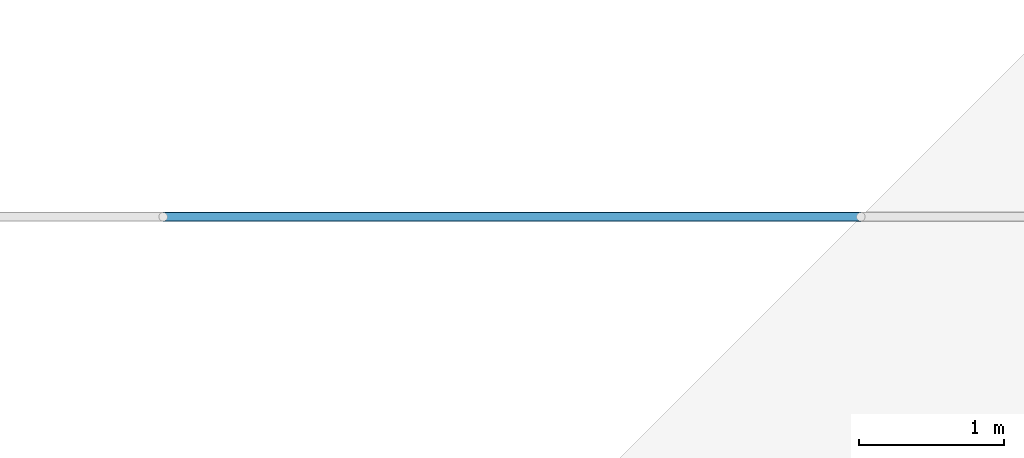
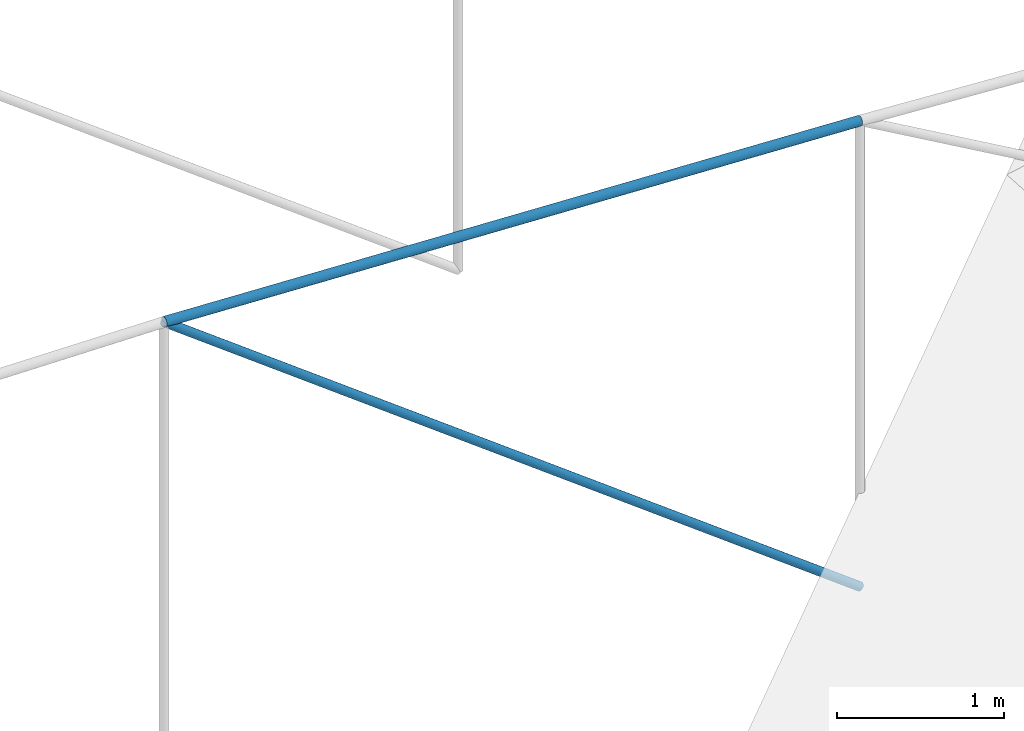
# One storey, part 25 of 50: 2 members.
"""IFC4 building model written with IfcOpenShell, lengths in metres."""

from ifc_helpers import new_model, si_unit, direction, frame, origin, origin_2d, place, context, subcontext, project, spatial, circle, extrude, material, material_profile, profile_set, type_object, element, save


model = new_model("IFC4")

# Units and contexts
model_context = context("Model", 3, precision=1e-05, world=origin(), true_north=direction((0.0, 1.0)))
body_context = subcontext(model_context, "Body", "Model", "MODEL_VIEW")
ifc_project = project(units=[si_unit("LENGTHUNIT", "METRE"), si_unit("AREAUNIT", "SQUARE_METRE"), si_unit("VOLUMEUNIT", "CUBIC_METRE"), si_unit("PLANEANGLEUNIT", "RADIAN"), si_unit("MASSUNIT", "GRAM", prefix="KILO")], contexts=[model_context])

# Site, building, storey
site_placement = place(None, origin())
site = spatial("IfcSite", under=ifc_project, at=site_placement, CompositionType="ELEMENT")
building_placement = place(site_placement, origin())
building = spatial("IfcBuilding", under=site, at=building_placement, Name="Zevrakil Square Congress Hotel", CompositionType="ELEMENT")
storey_placement = place(building_placement, frame((0.0, 0.0, 21.5)))
storey = spatial("IfcBuildingStorey", under=building, at=storey_placement, Name="L06", CompositionType="ELEMENT", Elevation=21.5)

# Members
ifc_material_1 = material(Name="Steel S355", Category="steel")
ifc_material_profile_1 = material_profile(ifc_material_1, circle(Radius=0.030029296875, at=origin_2d()), Name="CABLE RD60")
ifc_profile_set_1 = profile_set([ifc_material_profile_1], Name="Steel S355")
member_type_1 = type_object("IfcMemberType", Name="MEM-CABLE-RD60", PredefinedType="USERDEFINED", material=ifc_profile_set_1)
member_1_placement = place(storey_placement, frame((151.199951171875, 98.39990234375, -0.91796875), z_axis=(-0.799174909116, 0.0, 0.601098548192), x_axis=(0.0, -1.0, 0.0)))
element("IfcMember", 1, at=member_1_placement, inside=storey, type_object=member_type_1, Name="Congress cable-truss web diagonal CBD-07-7", ObjectType="ROOF CABLE", PredefinedType="USERDEFINED", context=body_context, shape_type="SweptSolid", body=[
    extrude(circle(Radius=0.030029296875, at=origin_2d()), origin(), (0.0, 0.0, 1.0), 6.00634765625),
])
ifc_material_2 = material(Name="Steel S355", Category="steel")
ifc_material_profile_2 = material_profile(ifc_material_2, circle(Radius=0.033935546875, at=origin_2d()), Name="CABLE RD68")
ifc_profile_set_2 = profile_set([ifc_material_profile_2], Name="Steel S355")
member_type_2 = type_object("IfcMemberType", Name="MEM-CABLE-RD68", PredefinedType="USERDEFINED", material=ifc_profile_set_2)
member_2_placement = place(storey_placement, frame((146.39990234375, 98.39990234375, 2.6923828125), z_axis=(0.999022402478, 0.0, -0.044206779419), x_axis=(0.0, 1.0, 0.0)))
element("IfcMember", 2, at=member_2_placement, inside=storey, type_object=member_type_2, Name="Congress lenticular upper cable chord CBU-07 seg 7", ObjectType="ROOF CABLE", PredefinedType="USERDEFINED", context=body_context, shape_type="SweptSolid", body=[
    extrude(circle(Radius=0.033935546875, at=origin_2d()), origin(), (0.0, 0.0, 1.0), 4.8046875),
])

save(model, "model.ifc")
